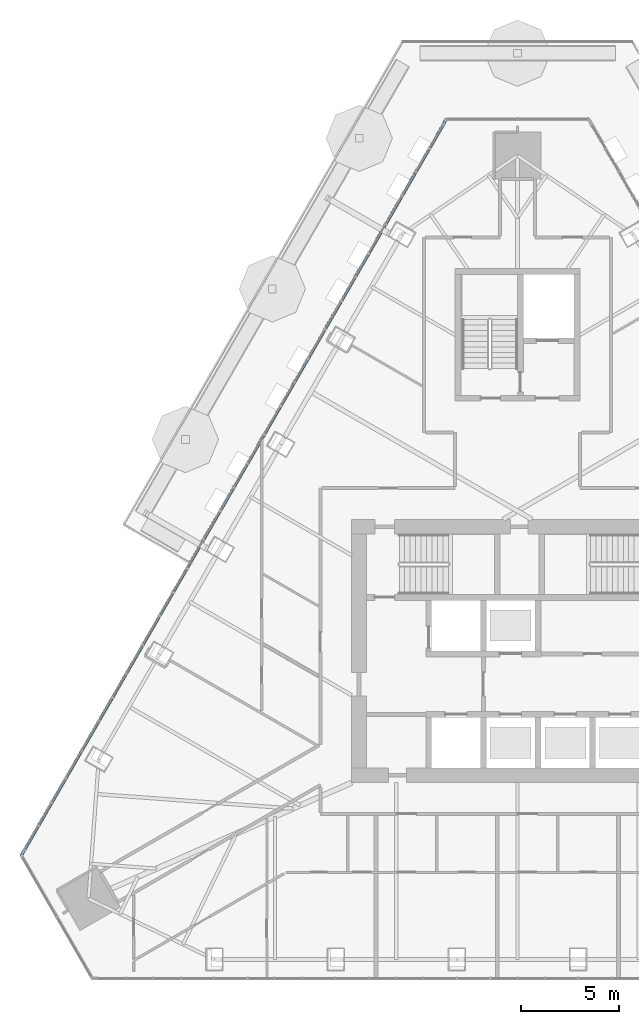
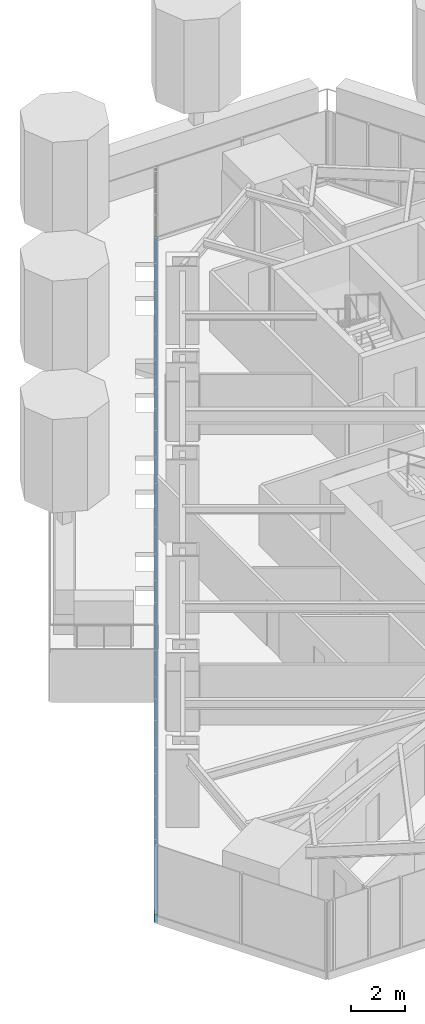
# One storey, part 6 of 22: 1 member, 1 element without a shape of its own.
"""IFC4 building model written with IfcOpenShell, lengths in metres."""

from ifc_helpers import new_model, si_unit, direction, frame, origin, origin_2d, place, context, subcontext, project, spatial, rectangle, extrude, material, layer, layer_set, material_profile, profile_set, type_object, element, aggregate, save


model = new_model("IFC4")

# Units and contexts
model_context = context("Model", 3, precision=1e-05, world=origin(), true_north=direction((0.0, 1.0)))
body_context = subcontext(model_context, "Body", "Model", "MODEL_VIEW")
ifc_project = project(units=[si_unit("LENGTHUNIT", "METRE"), si_unit("AREAUNIT", "SQUARE_METRE"), si_unit("VOLUMEUNIT", "CUBIC_METRE"), si_unit("PLANEANGLEUNIT", "RADIAN"), si_unit("MASSUNIT", "GRAM", prefix="KILO")], contexts=[model_context])

# Site, building, storey
site_placement = place(None, origin())
site = spatial("IfcSite", under=ifc_project, at=site_placement, CompositionType="ELEMENT")
building_placement = place(site_placement, origin())
building = spatial("IfcBuilding", under=site, at=building_placement, Name="Firuza Gate Tower and Library", CompositionType="ELEMENT")
storey_placement = place(building_placement, frame((0.0, 0.0, 295.10009765625)))
storey = spatial("IfcBuildingStorey", under=building, at=storey_placement, Name="L71", CompositionType="ELEMENT", Elevation=295.10009765625)

# Curtain wall, member
ifc_material_1 = material(Name="Aluminium 6063-T6", Category="aluminium")
ifc_layer = layer(ifc_material_1, 0.14990234375)
ifc_layer_set = layer_set([ifc_layer], Name="Unitised curtain wall, residences")
curtain_wall_type = type_object("IfcCurtainWallType", Name="Unitised curtain wall, residences", PredefinedType="NOTDEFINED", material=ifc_layer_set)
curtain_wall_placement = place(storey_placement, origin())
curtain_wall = element("IfcCurtainWall", 1, at=curtain_wall_placement, inside=storey, type_object=curtain_wall_type, Name="CW3 L71 W face", PredefinedType="NOTDEFINED")
ifc_material_2 = material(Name="Aluminium 6063-T6", Category="aluminium")
ifc_material_profile = material_profile(ifc_material_2, rectangle(XDim=0.14990234375, YDim=0.35009765625, at=origin_2d()))
ifc_profile_set = profile_set([ifc_material_profile], Name="Aluminium 6063-T6")
member_type = type_object("IfcMemberType", Name="Curtain wall transom 350x150", PredefinedType="USERDEFINED", material=ifc_profile_set)
member_placement = place(storey_placement, frame((71.356689453125, 102.264404296875, -0.025146484375), z_axis=(-0.499999996791, -0.866025405637, 0.0), x_axis=(0.866025405637, -0.499999996791, 0.0)))
member = element("IfcMember", 2, at=member_placement, type_object=member_type, Name="Transom", ObjectType="TRANSOM", PredefinedType="USERDEFINED", context=body_context, shape_type="SweptSolid", body=[
    extrude(rectangle(XDim=0.14990234375, YDim=0.35009765625, at=origin_2d()), origin(), (0.0, 0.0, 1.0), 43.580078125),
])
aggregate(curtain_wall, [member])

save(model, "model.ifc")
